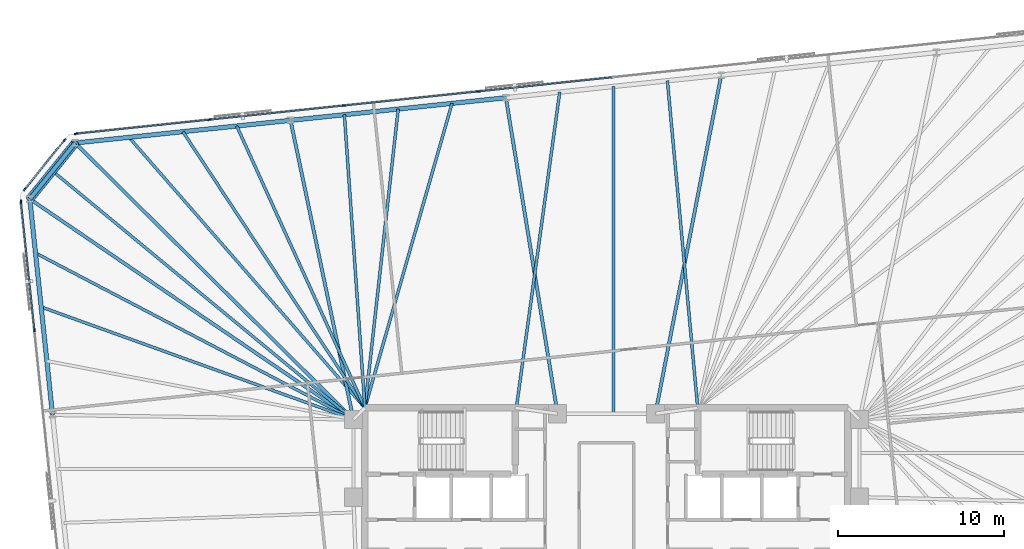
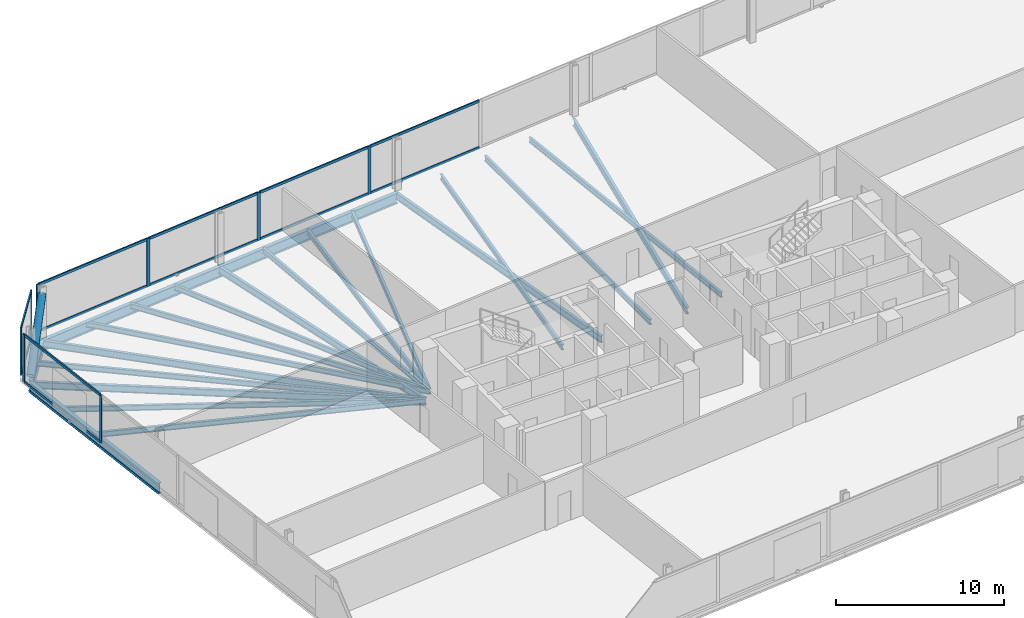
# One storey, part 9 of 18: 21 beams, 21 members, 3 elements without a shape of their own.
"""IFC4 building model written with IfcOpenShell, lengths in metres."""

from ifc_helpers import new_model, si_unit, direction, frame, origin, origin_2d, place, context, subcontext, project, spatial, rectangle, hollow_circle, i_section, extrude, material, material_profile, profile_set, type_object, element, aggregate, save


model = new_model("IFC4")

# Units and contexts
model_context = context("Model", 3, precision=1e-05, world=origin(), true_north=direction((0.0, 1.0)))
body_context = subcontext(model_context, "Body", "Model", "MODEL_VIEW")
ifc_project = project(units=[si_unit("LENGTHUNIT", "METRE"), si_unit("AREAUNIT", "SQUARE_METRE"), si_unit("VOLUMEUNIT", "CUBIC_METRE"), si_unit("PLANEANGLEUNIT", "RADIAN"), si_unit("MASSUNIT", "GRAM", prefix="KILO")], contexts=[model_context])

# Site, building, storey
site_placement = place(None, origin())
site = spatial("IfcSite", under=ifc_project, at=site_placement, CompositionType="ELEMENT")
building_placement = place(site_placement, origin())
building = spatial("IfcBuilding", under=site, at=building_placement, Name="Menara Jurai Vektor", CompositionType="ELEMENT")
storey_placement = place(building_placement, frame((0.0, 0.0, 91.10009765625)))
storey = spatial("IfcBuildingStorey", under=building, at=storey_placement, Name="L22", CompositionType="ELEMENT", Elevation=91.10009765625)

# Curtain wall, members
ifc_material_1 = material(Name="Anodised Pale Aluminium & Low-E Double Glazing", Category="aluminium")
curtain_wall_type = type_object("IfcCurtainWallType", Name="CW-BLK2", PredefinedType="NOTDEFINED", material=ifc_material_1)
curtain_wall_1_placement = place(storey_placement, origin())
curtain_wall_1 = element("IfcCurtainWall", 1, at=curtain_wall_1_placement, inside=storey, type_object=curtain_wall_type, Name="Unitised Curtain Wall L22 F05", PredefinedType="NOTDEFINED")
ifc_material_2 = material(Name="Anodised Pale Aluminium Mullion", Category="aluminium")
ifc_material_profile_1 = material_profile(ifc_material_2, rectangle(XDim=0.090087890625, YDim=0.219970703125, at=origin_2d()), Name="ALU MUL 90x220")
ifc_profile_set_1 = profile_set([ifc_material_profile_1], Name="Anodised Pale Aluminium Mullion")
member_type_1 = type_object("IfcMemberType", Name="CW-BLK2-MUL", PredefinedType="MULLION", material=ifc_profile_set_1)
member_1_placement = place(storey_placement, frame((-7.728271484375, 24.67138671875, 0.0), z_axis=(0.0, 0.0, 1.0), x_axis=(0.104528634935, -0.994521877325, 0.0)))
member_1 = element("IfcMember", 2, at=member_1_placement, type_object=member_type_1, Name="CW-02 mullion 6", PredefinedType="MULLION", context=body_context, shape_type="SweptSolid", body=[
    extrude(rectangle(XDim=0.090087890625, YDim=0.219970703125, at=origin_2d()), origin(), (0.0, 0.0, 1.0), 3.474853515625),
])
member_2_placement = place(storey_placement, frame((-15.826171875, 23.8203125, 0.0), z_axis=(0.0, 0.0, 1.0), x_axis=(0.104528634935, -0.994521877325, 0.0)))
member_2 = element("IfcMember", 3, at=member_2_placement, type_object=member_type_1, Name="CW-02 mullion 7", PredefinedType="MULLION", context=body_context, shape_type="SweptSolid", body=[
    extrude(rectangle(XDim=0.090087890625, YDim=0.219970703125, at=origin_2d()), origin(), (0.0, 0.0, 1.0), 3.474853515625),
])
member_3_placement = place(storey_placement, frame((-23.924072265625, 22.96923828125, 0.0), z_axis=(0.0, 0.0, 1.0), x_axis=(0.104528634935, -0.994521877325, 0.0)))
member_3 = element("IfcMember", 4, at=member_3_placement, type_object=member_type_1, Name="CW-02 mullion 8", PredefinedType="MULLION", context=body_context, shape_type="SweptSolid", body=[
    extrude(rectangle(XDim=0.090087890625, YDim=0.219970703125, at=origin_2d()), origin(), (0.0, 0.0, 1.0), 3.474853515625),
])
member_4_placement = place(storey_placement, frame((-31.97705078125, 22.122802734375, 0.0), z_axis=(0.0, 0.0, 1.0), x_axis=(0.104528634935, -0.994521877325, 0.0)))
member_4 = element("IfcMember", 5, at=member_4_placement, type_object=member_type_1, Name="CW-02 mullion 9", PredefinedType="MULLION", context=body_context, shape_type="SweptSolid", body=[
    extrude(rectangle(XDim=0.090087890625, YDim=0.219970703125, at=origin_2d()), origin(), (0.0, 0.0, 1.0), 3.474853515625),
])

curtain_wall_2_placement = place(storey_placement, origin())
curtain_wall_2 = element("IfcCurtainWall", 6, at=curtain_wall_2_placement, inside=storey, type_object=curtain_wall_type, Name="Unitised Curtain Wall L22 F06", PredefinedType="NOTDEFINED")
member_5_placement = place(storey_placement, frame((-32.667236328125, 21.748046875, 0.0), z_axis=(0.0, 0.0, 1.0), x_axis=(0.777129222223, -0.62934106172, 0.0)))
member_5 = element("IfcMember", 7, at=member_5_placement, type_object=member_type_1, Name="CW-02 mullion 1", PredefinedType="MULLION", context=body_context, shape_type="SweptSolid", body=[
    extrude(rectangle(XDim=0.090087890625, YDim=0.219970703125, at=origin_2d()), origin(), (0.0, 0.0, 1.0), 3.474853515625),
])
member_6_placement = place(storey_placement, frame((-35.0693359375, 18.781982421875, 0.0), z_axis=(0.0, 0.0, 1.0), x_axis=(0.777129222223, -0.62934106172, 0.0)))
member_6 = element("IfcMember", 8, at=member_6_placement, type_object=member_type_1, Name="CW-02 mullion 2", PredefinedType="MULLION", context=body_context, shape_type="SweptSolid", body=[
    extrude(rectangle(XDim=0.090087890625, YDim=0.219970703125, at=origin_2d()), origin(), (0.0, 0.0, 1.0), 3.474853515625),
])

curtain_wall_3_placement = place(storey_placement, origin())
curtain_wall_3 = element("IfcCurtainWall", 9, at=curtain_wall_3_placement, inside=storey, type_object=curtain_wall_type, Name="Unitised Curtain Wall L22 F07", PredefinedType="NOTDEFINED")
member_7_placement = place(storey_placement, frame((-35.29248046875, 18.029052734375, 0.0), z_axis=(0.0, 0.0, 1.0), x_axis=(0.99452177832, 0.104529576902, 0.0)))
member_7 = element("IfcMember", 10, at=member_7_placement, type_object=member_type_1, Name="CW-02 mullion 1", PredefinedType="MULLION", context=body_context, shape_type="SweptSolid", body=[
    extrude(rectangle(XDim=0.090087890625, YDim=0.219970703125, at=origin_2d()), origin(), (0.0, 0.0, 1.0), 3.474853515625),
])
member_8_placement = place(storey_placement, frame((-34.478759765625, 10.28857421875, 0.0), z_axis=(0.0, 0.0, 1.0), x_axis=(0.99452177832, 0.104529576902, 0.0)))
member_8 = element("IfcMember", 11, at=member_8_placement, type_object=member_type_1, Name="CW-02 mullion 2", PredefinedType="MULLION", context=body_context, shape_type="SweptSolid", body=[
    extrude(rectangle(XDim=0.090087890625, YDim=0.219970703125, at=origin_2d()), origin(), (0.0, 0.0, 1.0), 3.474853515625),
])

# Member
ifc_material_3 = material(Name="Anodised Pale Aluminium Transom", Category="aluminium")
ifc_material_profile_2 = material_profile(ifc_material_3, rectangle(XDim=0.090087890625, YDim=0.18505859375, at=origin_2d()), Name="ALU TRN 90x185")
ifc_profile_set_2 = profile_set([ifc_material_profile_2], Name="Anodised Pale Aluminium Transom")
member_type_2 = type_object("IfcMemberType", Name="CW-BLK2-TRN", PredefinedType="USERDEFINED", material=ifc_profile_set_2)
member_9_placement = place(storey_placement, frame((0.324951171875, 25.517822265625, 0.044921875), z_axis=(-0.99452387809, -0.104509597213, 0.0), x_axis=(0.104509597213, -0.99452387809, 0.0)))
member_9 = element("IfcMember", 12, at=member_9_placement, type_object=member_type_2, Name="CW-02 transom 5.1", ObjectType="TRANSOM", PredefinedType="USERDEFINED", context=body_context, shape_type="SweptSolid", body=[
    extrude(rectangle(XDim=0.090087890625, YDim=0.18505859375, at=origin_2d()), origin(), (0.0, 0.0, 1.0), 8.052490234375),
])

member_10_placement = place(storey_placement, frame((0.324951171875, 25.517822265625, 3.429931640625), z_axis=(-0.99452387809, -0.104509597213, 0.0), x_axis=(0.104509597213, -0.99452387809, 0.0)))
member_10 = element("IfcMember", 13, at=member_10_placement, type_object=member_type_2, Name="CW-02 transom 5.2", ObjectType="TRANSOM", PredefinedType="USERDEFINED", context=body_context, shape_type="SweptSolid", body=[
    extrude(rectangle(XDim=0.090087890625, YDim=0.18505859375, at=origin_2d()), origin(), (0.0, 0.0, 1.0), 8.052490234375),
])

member_11_placement = place(storey_placement, frame((-7.77294921875, 24.666748046875, 0.044921875), z_axis=(-0.994520726373, -0.10453958492, 0.0), x_axis=(0.10453958492, -0.994520726373, 0.0)))
member_11 = element("IfcMember", 14, at=member_11_placement, type_object=member_type_2, Name="CW-02 transom 6.1", ObjectType="TRANSOM", PredefinedType="USERDEFINED", context=body_context, shape_type="SweptSolid", body=[
    extrude(rectangle(XDim=0.090087890625, YDim=0.18505859375, at=origin_2d()), origin(), (0.0, 0.0, 1.0), 8.052490234375),
])

member_12_placement = place(storey_placement, frame((-7.77294921875, 24.666748046875, 3.429931640625), z_axis=(-0.994520726373, -0.10453958492, 0.0), x_axis=(0.10453958492, -0.994520726373, 0.0)))
member_12 = element("IfcMember", 15, at=member_12_placement, type_object=member_type_2, Name="CW-02 transom 6.2", ObjectType="TRANSOM", PredefinedType="USERDEFINED", context=body_context, shape_type="SweptSolid", body=[
    extrude(rectangle(XDim=0.090087890625, YDim=0.18505859375, at=origin_2d()), origin(), (0.0, 0.0, 1.0), 8.052490234375),
])

member_13_placement = place(storey_placement, frame((-15.870849609375, 23.815673828125, 0.044921875), z_axis=(-0.994520726373, -0.10453958492, 0.0), x_axis=(0.10453958492, -0.994520726373, 0.0)))
member_13 = element("IfcMember", 16, at=member_13_placement, type_object=member_type_2, Name="CW-02 transom 7.1", ObjectType="TRANSOM", PredefinedType="USERDEFINED", context=body_context, shape_type="SweptSolid", body=[
    extrude(rectangle(XDim=0.090087890625, YDim=0.18505859375, at=origin_2d()), origin(), (0.0, 0.0, 1.0), 8.052490234375),
])

member_14_placement = place(storey_placement, frame((-15.870849609375, 23.815673828125, 3.429931640625), z_axis=(-0.994520726373, -0.10453958492, 0.0), x_axis=(0.10453958492, -0.994520726373, 0.0)))
member_14 = element("IfcMember", 17, at=member_14_placement, type_object=member_type_2, Name="CW-02 transom 7.2", ObjectType="TRANSOM", PredefinedType="USERDEFINED", context=body_context, shape_type="SweptSolid", body=[
    extrude(rectangle(XDim=0.090087890625, YDim=0.18505859375, at=origin_2d()), origin(), (0.0, 0.0, 1.0), 8.052490234375),
])

member_15_placement = place(storey_placement, frame((-23.96875, 22.964599609375, 0.044921875), z_axis=(-0.994519977808, -0.104546706027, 0.0), x_axis=(0.104546706027, -0.994519977808, 0.0)))
member_15 = element("IfcMember", 18, at=member_15_placement, type_object=member_type_2, Name="CW-02 transom 8.1", ObjectType="TRANSOM", PredefinedType="USERDEFINED", context=body_context, shape_type="SweptSolid", body=[
    extrude(rectangle(XDim=0.090087890625, YDim=0.18505859375, at=origin_2d()), origin(), (0.0, 0.0, 1.0), 8.007568359375),
])

member_16_placement = place(storey_placement, frame((-23.96875, 22.964599609375, 3.429931640625), z_axis=(-0.994519977808, -0.104546706027, 0.0), x_axis=(0.104546706027, -0.994519977808, 0.0)))
member_16 = element("IfcMember", 19, at=member_16_placement, type_object=member_type_2, Name="CW-02 transom 8.2", ObjectType="TRANSOM", PredefinedType="USERDEFINED", context=body_context, shape_type="SweptSolid", body=[
    extrude(rectangle(XDim=0.090087890625, YDim=0.18505859375, at=origin_2d()), origin(), (0.0, 0.0, 1.0), 8.007568359375),
])

aggregate(curtain_wall_1, [member_1, member_2, member_3, member_4, member_9, member_10, member_11, member_12, member_13, member_14, member_15, member_16])

member_17_placement = place(storey_placement, frame((-32.695556640625, 21.713134765625, 0.044921875), z_axis=(-0.6293414396, -0.777128916205, 0.0), x_axis=(0.777128916205, -0.6293414396, 0.0)))
member_17 = element("IfcMember", 20, at=member_17_placement, type_object=member_type_2, Name="CW-02 transom 1.1", ObjectType="TRANSOM", PredefinedType="USERDEFINED", context=body_context, shape_type="SweptSolid", body=[
    extrude(rectangle(XDim=0.090087890625, YDim=0.18505859375, at=origin_2d()), origin(), (0.0, 0.0, 1.0), 3.726806640625),
])

member_18_placement = place(storey_placement, frame((-32.695556640625, 21.713134765625, 3.429931640625), z_axis=(-0.6293414396, -0.777128916205, 0.0), x_axis=(0.777128916205, -0.6293414396, 0.0)))
member_18 = element("IfcMember", 21, at=member_18_placement, type_object=member_type_2, Name="CW-02 transom 1.2", ObjectType="TRANSOM", PredefinedType="USERDEFINED", context=body_context, shape_type="SweptSolid", body=[
    extrude(rectangle(XDim=0.090087890625, YDim=0.18505859375, at=origin_2d()), origin(), (0.0, 0.0, 1.0), 3.726806640625),
])

aggregate(curtain_wall_2, [member_5, member_6, member_17, member_18])

member_19_placement = place(storey_placement, frame((-35.28759765625, 17.984130859375, 0.044921875), z_axis=(0.104504716935, -0.994524390922, 0.0), x_axis=(0.994524390922, 0.104504716935, 0.0)))
member_19 = element("IfcMember", 22, at=member_19_placement, type_object=member_type_2, Name="CW-02 transom 1.1", ObjectType="TRANSOM", PredefinedType="USERDEFINED", context=body_context, shape_type="SweptSolid", body=[
    extrude(rectangle(XDim=0.090087890625, YDim=0.18505859375, at=origin_2d()), origin(), (0.0, 0.0, 1.0), 7.693115234375),
])

member_20_placement = place(storey_placement, frame((-35.28759765625, 17.984130859375, 3.429931640625), z_axis=(0.104504716935, -0.994524390922, 0.0), x_axis=(0.994524390922, 0.104504716935, 0.0)))
member_20 = element("IfcMember", 23, at=member_20_placement, type_object=member_type_2, Name="CW-02 transom 1.2", ObjectType="TRANSOM", PredefinedType="USERDEFINED", context=body_context, shape_type="SweptSolid", body=[
    extrude(rectangle(XDim=0.090087890625, YDim=0.18505859375, at=origin_2d()), origin(), (0.0, 0.0, 1.0), 7.693115234375),
])

aggregate(curtain_wall_3, [member_7, member_8, member_19, member_20])

# Beams
ifc_material_4 = material(Name="Steel S355", Category="steel")
ifc_material_profile_3 = material_profile(ifc_material_4, i_section(OverallWidth=0.199951171875, OverallDepth=0.5, WebThickness=0.011962890625, FlangeThickness=0.02001953125, at=origin_2d()), Name="PG 500x200x96")
ifc_profile_set_3 = profile_set([ifc_material_profile_3], Name="Steel S355")
beam_type_1 = type_object("IfcBeamType", Name="STR-BM-500", PredefinedType="BEAM", material=ifc_profile_set_3)
beam_1_placement = place(storey_placement, frame((6.9169921875, 25.65771484375, -0.47509765625), z_axis=(-0.190817481746, -0.981625533826, 0.0), x_axis=(0.981625533826, -0.190817481746, 0.0)))
element("IfcBeam", 24, at=beam_1_placement, inside=storey, type_object=beam_type_1, Name="Radial Floor Girder L22-N3", PredefinedType="BEAM", context=body_context, shape_type="SweptSolid", body=[
    extrude(i_section(OverallWidth=0.199951171875, OverallDepth=0.5, WebThickness=0.011962890625, FlangeThickness=0.02001953125, at=origin_2d()), origin(), (0.0, 0.0, 1.0), 20.789794921875),
])
beam_2_placement = place(storey_placement, frame((-6.0625, 24.29345703125, -0.47509765625), z_axis=(0.161304178177, -0.986904738109, 0.0), x_axis=(0.986904738109, 0.161304178177, 0.0)))
element("IfcBeam", 25, at=beam_2_placement, inside=storey, type_object=beam_type_1, Name="Radial Floor Girder L22-N4", PredefinedType="BEAM", context=body_context, shape_type="SweptSolid", body=[
    extrude(i_section(OverallWidth=0.199951171875, OverallDepth=0.5, WebThickness=0.011962890625, FlangeThickness=0.02001953125, at=origin_2d()), origin(), (0.0, 0.0, 1.0), 19.296142578125),
])
beam_3_placement = place(storey_placement, frame((-19.042236328125, 22.92919921875, -0.47509765625), z_axis=(0.205833499861, -0.978587027471, 0.0), x_axis=(0.978587027471, 0.205833499861, 0.0)))
element("IfcBeam", 26, at=beam_3_placement, inside=storey, type_object=beam_type_1, Name="Radial Floor Girder L22-N5", PredefinedType="BEAM", context=body_context, shape_type="SweptSolid", body=[
    extrude(i_section(OverallWidth=0.199951171875, OverallDepth=0.5, WebThickness=0.011962890625, FlangeThickness=0.02001953125, at=origin_2d()), origin(), (0.0, 0.0, 1.0), 18.423828125),
])
beam_4_placement = place(storey_placement, frame((-32.02197265625, 21.565185546875, -0.47509765625), z_axis=(0.709359361276, -0.704847002242, 0.0), x_axis=(0.704847002242, 0.709359361276, 0.0)))
element("IfcBeam", 27, at=beam_4_placement, inside=storey, type_object=beam_type_1, Name="Radial Floor Girder L22-N6", PredefinedType="BEAM", context=body_context, shape_type="SweptSolid", body=[
    extrude(i_section(OverallWidth=0.199951171875, OverallDepth=0.5, WebThickness=0.011962890625, FlangeThickness=0.02001953125, at=origin_2d()), origin(), (0.0, 0.0, 1.0), 23.643798828125),
])
beam_5_placement = place(storey_placement, frame((-34.756103515625, 18.188720703125, -0.47509765625), z_axis=(0.826440214756, -0.563024485643, 0.0), x_axis=(0.563024485643, 0.826440214756, 0.0)))
element("IfcBeam", 28, at=beam_5_placement, inside=storey, type_object=beam_type_1, Name="Radial Floor Girder L22-W1", PredefinedType="BEAM", context=body_context, shape_type="SweptSolid", body=[
    extrude(i_section(OverallWidth=0.199951171875, OverallDepth=0.5, WebThickness=0.011962890625, FlangeThickness=0.02001953125, at=origin_2d()), origin(), (0.0, 0.0, 1.0), 23.6025390625),
])

# Member
ifc_material_5 = material(Name="Steel S460", Category="steel")
ifc_material_profile_4 = material_profile(ifc_material_5, hollow_circle(Radius=0.25390625, WallThickness=0.02001953125, at=origin_2d()), Name="CHS 508x20")
ifc_profile_set_4 = profile_set([ifc_material_profile_4], Name="Steel S460")
member_type_3 = type_object("IfcMemberType", Name="STR-BR-508", PredefinedType="BRACE", material=ifc_profile_set_4)
member_21_placement = place(storey_placement, frame((-34.756103515625, 18.188720703125, 0.14990234375), z_axis=(0.519237856236, 0.641223283484, 0.564999778203), x_axis=(-0.777154568396, 0.629309762217, 0.0)))
element("IfcMember", 29, at=member_21_placement, inside=storey, type_object=member_type_3, Name="Exoskeleton Corner Brace L22-3", PredefinedType="BRACE", context=body_context, shape_type="SweptSolid", body=[
    extrude(hollow_circle(Radius=0.25390625, WallThickness=0.02001953125, at=origin_2d()), origin(), (0.0, 0.0, 1.0), 5.265625),
])

# Beams
ifc_material_profile_5 = material_profile(ifc_material_4, i_section(OverallWidth=0.175048828125, OverallDepth=0.3798828125, WebThickness=0.010009765625, FlangeThickness=0.014892578125, at=origin_2d()), Name="PG 380x175x58")
ifc_profile_set_5 = profile_set([ifc_material_profile_5], Name="Steel S355")
beam_type_2 = type_object("IfcBeamType", Name="STR-JS-380", PredefinedType="JOIST", material=ifc_profile_set_5)
beam_6_placement = place(storey_placement, frame((3.672119140625, 25.316650390625, -0.4150390625), z_axis=(0.092312082085, -0.995730123829, 0.0), x_axis=(0.995730123829, 0.092312082085, 0.0)))
element("IfcBeam", 30, at=beam_6_placement, inside=storey, type_object=beam_type_2, Name="Radial Secondary Floor Joist L22-JS26", PredefinedType="JOIST", context=body_context, shape_type="SweptSolid", body=[
    extrude(i_section(OverallWidth=0.175048828125, OverallDepth=0.3798828125, WebThickness=0.010009765625, FlangeThickness=0.014892578125, at=origin_2d()), origin(), (0.0, 0.0, 1.0), 19.801025390625),
])
beam_7_placement = place(storey_placement, frame((0.42724609375, 24.9755859375, -0.4150390625), z_axis=(0.0, -1.0, 0.0), x_axis=(1.0, 0.0, 0.0)))
element("IfcBeam", 31, at=beam_7_placement, inside=storey, type_object=beam_type_2, Name="Radial Secondary Floor Joist L22-JS27", PredefinedType="JOIST", context=body_context, shape_type="SweptSolid", body=[
    extrude(i_section(OverallWidth=0.175048828125, OverallDepth=0.3798828125, WebThickness=0.010009765625, FlangeThickness=0.014892578125, at=origin_2d()), origin(), (0.0, 0.0, 1.0), 19.7255859375),
])
beam_8_placement = place(storey_placement, frame((-2.817626953125, 24.634521484375, -0.4150390625), z_axis=(-0.135987109192, -0.990710606652, 0.0), x_axis=(0.990710606652, -0.135987109192, 0.0)))
element("IfcBeam", 32, at=beam_8_placement, inside=storey, type_object=beam_type_2, Name="Radial Secondary Floor Joist L22-JS28", PredefinedType="JOIST", context=body_context, shape_type="SweptSolid", body=[
    extrude(i_section(OverallWidth=0.175048828125, OverallDepth=0.3798828125, WebThickness=0.010009765625, FlangeThickness=0.014892578125, at=origin_2d()), origin(), (0.0, 0.0, 1.0), 19.222412109375),
])
beam_9_placement = place(storey_placement, frame((-9.3076171875, 23.952392578125, -0.4150390625), z_axis=(-0.275153530359, -0.961400298903, 0.0), x_axis=(0.961400298903, -0.275153530359, 0.0)))
element("IfcBeam", 33, at=beam_9_placement, inside=storey, type_object=beam_type_2, Name="Radial Secondary Floor Joist L22-JS29", PredefinedType="JOIST", context=body_context, shape_type="SweptSolid", body=[
    extrude(i_section(OverallWidth=0.175048828125, OverallDepth=0.3798828125, WebThickness=0.010009765625, FlangeThickness=0.014892578125, at=origin_2d()), origin(), (0.0, 0.0, 1.0), 19.089111328125),
])
beam_10_placement = place(storey_placement, frame((-12.552490234375, 23.611328125, -0.4150390625), z_axis=(-0.110776028048, -0.993845396231, 0.0), x_axis=(0.993845396231, -0.110776028048, 0.0)))
element("IfcBeam", 34, at=beam_10_placement, inside=storey, type_object=beam_type_2, Name="Radial Secondary Floor Joist L22-JS30", PredefinedType="JOIST", context=body_context, shape_type="SweptSolid", body=[
    extrude(i_section(OverallWidth=0.175048828125, OverallDepth=0.3798828125, WebThickness=0.010009765625, FlangeThickness=0.014892578125, at=origin_2d()), origin(), (0.0, 0.0, 1.0), 18.122802734375),
])
beam_11_placement = place(storey_placement, frame((-15.79736328125, 23.2705078125, -0.4150390625), z_axis=(0.069850249402, -0.997557488398, 0.0), x_axis=(0.997557488398, 0.069850249402, 0.0)))
element("IfcBeam", 35, at=beam_11_placement, inside=storey, type_object=beam_type_2, Name="Radial Secondary Floor Joist L22-JS31", PredefinedType="JOIST", context=body_context, shape_type="SweptSolid", body=[
    extrude(i_section(OverallWidth=0.175048828125, OverallDepth=0.3798828125, WebThickness=0.010009765625, FlangeThickness=0.014892578125, at=origin_2d()), origin(), (0.0, 0.0, 1.0), 17.713623046875),
])
beam_12_placement = place(storey_placement, frame((-22.287109375, 22.58837890625, -0.4150390625), z_axis=(0.414029617818, -0.910263409992, 0.0), x_axis=(0.910263409992, 0.414029617818, 0.0)))
element("IfcBeam", 36, at=beam_12_placement, inside=storey, type_object=beam_type_2, Name="Radial Secondary Floor Joist L22-JS32", PredefinedType="JOIST", context=body_context, shape_type="SweptSolid", body=[
    extrude(i_section(OverallWidth=0.175048828125, OverallDepth=0.3798828125, WebThickness=0.010009765625, FlangeThickness=0.014892578125, at=origin_2d()), origin(), (0.0, 0.0, 1.0), 18.6630859375),
])
beam_13_placement = place(storey_placement, frame((-25.531982421875, 22.247314453125, -0.4150390625), z_axis=(0.550309675793, -0.834960634239, 0.0), x_axis=(0.834960634239, 0.550309675793, 0.0)))
element("IfcBeam", 37, at=beam_13_placement, inside=storey, type_object=beam_type_2, Name="Radial Secondary Floor Joist L22-JS33", PredefinedType="JOIST", context=body_context, shape_type="SweptSolid", body=[
    extrude(i_section(OverallWidth=0.175048828125, OverallDepth=0.3798828125, WebThickness=0.010009765625, FlangeThickness=0.014892578125, at=origin_2d()), origin(), (0.0, 0.0, 1.0), 19.937744140625),
])
beam_14_placement = place(storey_placement, frame((-28.777099609375, 21.90625, -0.4150390625), z_axis=(0.657172520545, -0.753740192798, 0.0), x_axis=(0.753740192798, 0.657172520545, 0.0)))
element("IfcBeam", 38, at=beam_14_placement, inside=storey, type_object=beam_type_2, Name="Radial Secondary Floor Joist L22-JS34", PredefinedType="JOIST", context=body_context, shape_type="SweptSolid", body=[
    extrude(i_section(OverallWidth=0.175048828125, OverallDepth=0.3798828125, WebThickness=0.010009765625, FlangeThickness=0.014892578125, at=origin_2d()), origin(), (0.0, 0.0, 1.0), 21.633544921875),
])
beam_15_placement = place(storey_placement, frame((-33.388916015625, 19.876953125, -0.4150390625), z_axis=(0.771113505069, -0.636697700876, 0.0), x_axis=(0.636697700876, 0.771113505069, 0.0)))
element("IfcBeam", 39, at=beam_15_placement, inside=storey, type_object=beam_type_2, Name="Radial Secondary Floor Joist L22-JS35", PredefinedType="JOIST", context=body_context, shape_type="SweptSolid", body=[
    extrude(i_section(OverallWidth=0.175048828125, OverallDepth=0.3798828125, WebThickness=0.010009765625, FlangeThickness=0.014892578125, at=origin_2d()), origin(), (0.0, 0.0, 1.0), 23.52294921875),
])
beam_16_placement = place(storey_placement, frame((-34.414306640625, 14.935302734375, -0.4150390625), z_axis=(0.885889402471, -0.463896504179, 0.0), x_axis=(0.463896504179, 0.885889402471, 0.0)))
element("IfcBeam", 40, at=beam_16_placement, inside=storey, type_object=beam_type_2, Name="Radial Secondary Floor Joist L22-JS36", PredefinedType="JOIST", context=body_context, shape_type="SweptSolid", body=[
    extrude(i_section(OverallWidth=0.175048828125, OverallDepth=0.3798828125, WebThickness=0.010009765625, FlangeThickness=0.014892578125, at=origin_2d()), origin(), (0.0, 0.0, 1.0), 21.6328125),
])
beam_17_placement = place(storey_placement, frame((-34.072265625, 11.681884765625, -0.4150390625), z_axis=(0.940792327273, -0.338983475917, 0.0), x_axis=(0.338983475917, 0.940792327273, 0.0)))
element("IfcBeam", 41, at=beam_17_placement, inside=storey, type_object=beam_type_2, Name="Radial Secondary Floor Joist L22-JS37", PredefinedType="JOIST", context=body_context, shape_type="SweptSolid", body=[
    extrude(i_section(OverallWidth=0.175048828125, OverallDepth=0.3798828125, WebThickness=0.010009765625, FlangeThickness=0.014892578125, at=origin_2d()), origin(), (0.0, 0.0, 1.0), 20.0068359375),
])
ifc_material_profile_6 = material_profile(ifc_material_5, i_section(OverallWidth=0.26806640625, OverallDepth=0.77001953125, WebThickness=0.01611328125, FlangeThickness=0.02490234375, FilletRadius=0.01708984375, at=origin_2d()), Name="UKB 762x267x197")
ifc_profile_set_6 = profile_set([ifc_material_profile_6], Name="Steel S460")
beam_type_3 = type_object("IfcBeamType", Name="STR-SP-762", PredefinedType="SPANDREL", material=ifc_profile_set_6)
for number, where, z_axis, x_axis, name in (
    (42, (-6.0625, 24.29345703125, -0.610107421875), (-0.994521636083, -0.104530930169, 0.0), (0.104530930169, -0.994521636083, 0.0), "Exoskeleton Spandrel Beam L22-14"),
    (43, (-19.042236328125, 22.92919921875, -0.610107421875), (-0.994523580592, -0.104512428191, 0.0), (0.104512428191, -0.994523580592, 0.0), "Exoskeleton Spandrel Beam L22-15"),
):
    element("IfcBeam", number, at=place(storey_placement, frame(where, z_axis=z_axis, x_axis=x_axis)), inside=storey, type_object=beam_type_3, Name=name, PredefinedType="SPANDREL", context=body_context, shape_type="SweptSolid", body=[
        extrude(i_section(OverallWidth=0.26806640625, OverallDepth=0.77001953125, WebThickness=0.01611328125, FlangeThickness=0.02490234375, FilletRadius=0.01708984375, at=origin_2d()), origin(), (0.0, 0.0, 1.0), 13.05126953125),
    ])
beam_18_placement = place(storey_placement, frame((-32.02197265625, 21.565185546875, -0.610107421875), z_axis=(-0.629309762217, -0.777154568396, 0.0), x_axis=(0.777154568396, -0.629309762217, 0.0)))
element("IfcBeam", 44, at=beam_18_placement, inside=storey, type_object=beam_type_3, Name="Exoskeleton Spandrel Beam L22-16", PredefinedType="SPANDREL", context=body_context, shape_type="SweptSolid", body=[
    extrude(i_section(OverallWidth=0.26806640625, OverallDepth=0.77001953125, WebThickness=0.01611328125, FlangeThickness=0.02490234375, FilletRadius=0.01708984375, at=origin_2d()), origin(), (0.0, 0.0, 1.0), 4.3447265625),
])
beam_19_placement = place(storey_placement, frame((-34.756103515625, 18.188720703125, -0.610107421875), z_axis=(0.104538130097, -0.994520879296, 0.0), x_axis=(0.994520879296, 0.104538130097, 0.0)))
element("IfcBeam", 45, at=beam_19_placement, inside=storey, type_object=beam_type_3, Name="Exoskeleton Spandrel Beam L22-17", PredefinedType="SPANDREL", context=body_context, shape_type="SweptSolid", body=[
    extrude(i_section(OverallWidth=0.26806640625, OverallDepth=0.77001953125, WebThickness=0.01611328125, FlangeThickness=0.02490234375, FilletRadius=0.01708984375, at=origin_2d()), origin(), (0.0, 0.0, 1.0), 13.08544921875),
])

save(model, "model.ifc")
